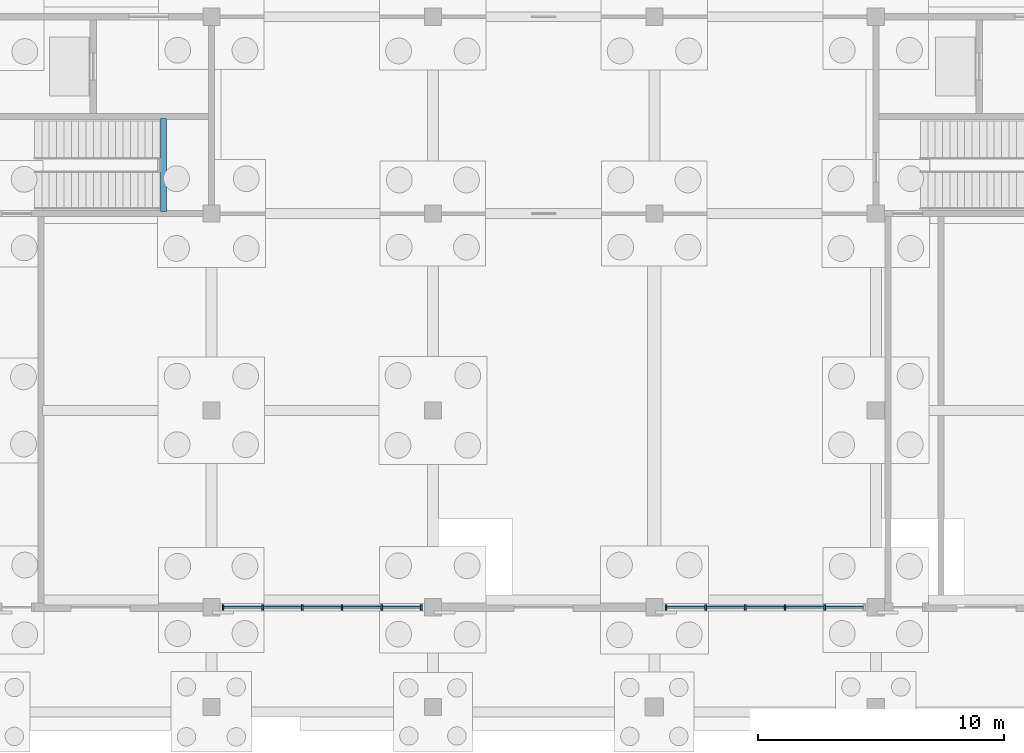
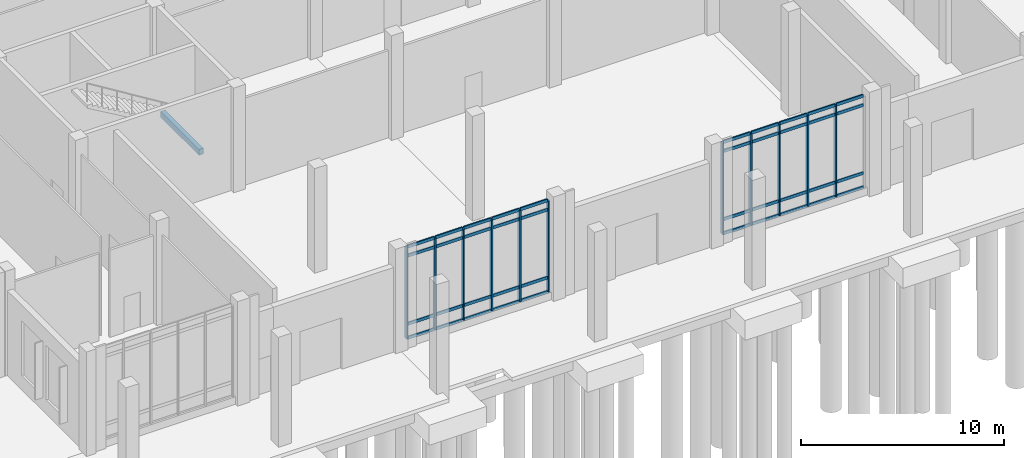
# One storey, part 43 of 99: 51 members, 1 beam, 2 elements without a shape of their own.
"""IFC4 building model written with IfcOpenShell, lengths in metres."""

from ifc_helpers import new_model, si_unit, direction, frame, origin, origin_2d, place, context, subcontext, project, spatial, rectangle, extrude, material, layer, layer_set, material_profile, profile_set, type_object, element, aggregate, save


model = new_model("IFC4")

# Units and contexts
model_context = context("Model", 3, precision=1e-05, world=origin(), true_north=direction((0.0, 1.0)))
body_context = subcontext(model_context, "Body", "Model", "MODEL_VIEW")
ifc_project = project(units=[si_unit("LENGTHUNIT", "METRE"), si_unit("AREAUNIT", "SQUARE_METRE"), si_unit("VOLUMEUNIT", "CUBIC_METRE"), si_unit("PLANEANGLEUNIT", "RADIAN"), si_unit("MASSUNIT", "GRAM", prefix="KILO")], contexts=[model_context])

# Site, building, storey
site_placement = place(None, origin())
site = spatial("IfcSite", under=ifc_project, at=site_placement, CompositionType="ELEMENT")
building_placement = place(site_placement, origin())
building = spatial("IfcBuilding", under=site, at=building_placement, Name="Zacnel Wholesale Market", CompositionType="ELEMENT")
storey_placement = place(building_placement, origin())
storey = spatial("IfcBuildingStorey", under=building, at=storey_placement, Name="L01", CompositionType="ELEMENT", Elevation=0.0)

# Beam
ifc_material_1 = material(Name="Precast concrete C45/55", Category="concrete")
ifc_material_profile_1 = material_profile(ifc_material_1, rectangle(XDim=0.25, YDim=0.35009765625, at=origin_2d()), Name="LN 250x350")
ifc_profile_set_1 = profile_set([ifc_material_profile_1], Name="Precast concrete C45/55")
beam_type = type_object("IfcBeamType", Name="BM-LN350", PredefinedType="LINTEL", material=ifc_profile_set_1)
beam_placement = place(storey_placement, frame((160.06005859375, 16.080078125, 2.77490234375), z_axis=(0.0, 1.0, 0.0), x_axis=(-1.0, 0.0, 0.0)))
element("IfcBeam", 1, at=beam_placement, inside=storey, type_object=beam_type, Name="Stair ST-01 half-landing bearing beam", PredefinedType="LINTEL", context=body_context, shape_type="SweptSolid", body=[
    extrude(rectangle(XDim=0.25, YDim=0.35009765625, at=origin_2d()), origin(), (0.0, 0.0, 1.0), 3.7900390625),
])

# Curtain wall, members
ifc_material_2 = material(Name="Anodised aluminium", Category="aluminium")
ifc_layer = layer(ifc_material_2, 0.179931640625)
ifc_layer_set = layer_set([ifc_layer], Name="Anodised aluminium")
curtain_wall_type = type_object("IfcCurtainWallType", Name="CW-BLVD-5400", PredefinedType="NOTDEFINED", material=ifc_layer_set)
curtain_wall_1_placement = place(storey_placement, origin())
curtain_wall_1 = element("IfcCurtainWall", 2, at=curtain_wall_1_placement, inside=storey, type_object=curtain_wall_type, Name="Curtain wall ENV-R2-CW-L01-006", PredefinedType="NOTDEFINED")
ifc_material_3 = material(Name="Anodised aluminium", Category="aluminium")
ifc_material_profile_2 = material_profile(ifc_material_3, rectangle(XDim=0.074951171875, YDim=0.219970703125, at=origin_2d()), Name="AW-MULLION 75x220")
ifc_profile_set_2 = profile_set([ifc_material_profile_2], Name="Anodised aluminium")
member_type_1 = type_object("IfcMemberType", Name="CWM-MUL-01", PredefinedType="MULLION", material=ifc_profile_set_2)
member_1_placement = place(storey_placement, frame((162.469970703125, 0.0, 0.449951171875), z_axis=(0.0, 0.0, 1.0), x_axis=(1.0, 0.0, 0.0)))
member_1 = element("IfcMember", 3, at=member_1_placement, type_object=member_type_1, Name="ENV-R2-CW-L01-006 mullion 01", PredefinedType="MULLION", context=body_context, shape_type="SweptSolid", body=[
    extrude(rectangle(XDim=0.074951171875, YDim=0.219970703125, at=origin_2d()), origin(), (0.0, 0.0, 1.0), 5.5),
])
member_2_placement = place(storey_placement, frame((164.08203125, 0.0, 0.449951171875), z_axis=(0.0, 0.0, 1.0), x_axis=(1.0, 0.0, 0.0)))
member_2 = element("IfcMember", 4, at=member_2_placement, type_object=member_type_1, Name="ENV-R2-CW-L01-006 mullion 02", PredefinedType="MULLION", context=body_context, shape_type="SweptSolid", body=[
    extrude(rectangle(XDim=0.074951171875, YDim=0.219970703125, at=origin_2d()), origin(), (0.0, 0.0, 1.0), 5.5),
])
member_3_placement = place(storey_placement, frame((165.694091796875, 0.0, 0.449951171875), z_axis=(0.0, 0.0, 1.0), x_axis=(1.0, 0.0, 0.0)))
member_3 = element("IfcMember", 5, at=member_3_placement, type_object=member_type_1, Name="ENV-R2-CW-L01-006 mullion 03", PredefinedType="MULLION", context=body_context, shape_type="SweptSolid", body=[
    extrude(rectangle(XDim=0.074951171875, YDim=0.219970703125, at=origin_2d()), origin(), (0.0, 0.0, 1.0), 5.5),
])
member_4_placement = place(storey_placement, frame((167.305908203125, 0.0, 0.449951171875), z_axis=(0.0, 0.0, 1.0), x_axis=(1.0, 0.0, 0.0)))
member_4 = element("IfcMember", 6, at=member_4_placement, type_object=member_type_1, Name="ENV-R2-CW-L01-006 mullion 04", PredefinedType="MULLION", context=body_context, shape_type="SweptSolid", body=[
    extrude(rectangle(XDim=0.074951171875, YDim=0.219970703125, at=origin_2d()), origin(), (0.0, 0.0, 1.0), 5.5),
])
member_5_placement = place(storey_placement, frame((168.91796875, 0.0, 0.449951171875), z_axis=(0.0, 0.0, 1.0), x_axis=(1.0, 0.0, 0.0)))
member_5 = element("IfcMember", 7, at=member_5_placement, type_object=member_type_1, Name="ENV-R2-CW-L01-006 mullion 05", PredefinedType="MULLION", context=body_context, shape_type="SweptSolid", body=[
    extrude(rectangle(XDim=0.074951171875, YDim=0.219970703125, at=origin_2d()), origin(), (0.0, 0.0, 1.0), 5.5),
])
member_6_placement = place(storey_placement, frame((170.530029296875, 0.0, 0.449951171875), z_axis=(0.0, 0.0, 1.0), x_axis=(1.0, 0.0, 0.0)))
member_6 = element("IfcMember", 8, at=member_6_placement, type_object=member_type_1, Name="ENV-R2-CW-L01-006 mullion 06", PredefinedType="MULLION", context=body_context, shape_type="SweptSolid", body=[
    extrude(rectangle(XDim=0.074951171875, YDim=0.219970703125, at=origin_2d()), origin(), (0.0, 0.0, 1.0), 5.5),
])

curtain_wall_2_placement = place(storey_placement, origin())
curtain_wall_2 = element("IfcCurtainWall", 9, at=curtain_wall_2_placement, inside=storey, type_object=curtain_wall_type, Name="Curtain wall ENV-R2-CW-L01-007", PredefinedType="NOTDEFINED")
member_7_placement = place(storey_placement, frame((180.469970703125, 0.0, 0.449951171875), z_axis=(0.0, 0.0, 1.0), x_axis=(1.0, 0.0, 0.0)))
member_7 = element("IfcMember", 10, at=member_7_placement, type_object=member_type_1, Name="ENV-R2-CW-L01-007 mullion 01", PredefinedType="MULLION", context=body_context, shape_type="SweptSolid", body=[
    extrude(rectangle(XDim=0.074951171875, YDim=0.219970703125, at=origin_2d()), origin(), (0.0, 0.0, 1.0), 5.5),
])
member_8_placement = place(storey_placement, frame((182.08203125, 0.0, 0.449951171875), z_axis=(0.0, 0.0, 1.0), x_axis=(1.0, 0.0, 0.0)))
member_8 = element("IfcMember", 11, at=member_8_placement, type_object=member_type_1, Name="ENV-R2-CW-L01-007 mullion 02", PredefinedType="MULLION", context=body_context, shape_type="SweptSolid", body=[
    extrude(rectangle(XDim=0.074951171875, YDim=0.219970703125, at=origin_2d()), origin(), (0.0, 0.0, 1.0), 5.5),
])
member_9_placement = place(storey_placement, frame((183.694091796875, 0.0, 0.449951171875), z_axis=(0.0, 0.0, 1.0), x_axis=(1.0, 0.0, 0.0)))
member_9 = element("IfcMember", 12, at=member_9_placement, type_object=member_type_1, Name="ENV-R2-CW-L01-007 mullion 03", PredefinedType="MULLION", context=body_context, shape_type="SweptSolid", body=[
    extrude(rectangle(XDim=0.074951171875, YDim=0.219970703125, at=origin_2d()), origin(), (0.0, 0.0, 1.0), 5.5),
])
member_10_placement = place(storey_placement, frame((185.305908203125, 0.0, 0.449951171875), z_axis=(0.0, 0.0, 1.0), x_axis=(1.0, 0.0, 0.0)))
member_10 = element("IfcMember", 13, at=member_10_placement, type_object=member_type_1, Name="ENV-R2-CW-L01-007 mullion 04", PredefinedType="MULLION", context=body_context, shape_type="SweptSolid", body=[
    extrude(rectangle(XDim=0.074951171875, YDim=0.219970703125, at=origin_2d()), origin(), (0.0, 0.0, 1.0), 5.5),
])
member_11_placement = place(storey_placement, frame((186.91796875, 0.0, 0.449951171875), z_axis=(0.0, 0.0, 1.0), x_axis=(1.0, 0.0, 0.0)))
member_11 = element("IfcMember", 14, at=member_11_placement, type_object=member_type_1, Name="ENV-R2-CW-L01-007 mullion 05", PredefinedType="MULLION", context=body_context, shape_type="SweptSolid", body=[
    extrude(rectangle(XDim=0.074951171875, YDim=0.219970703125, at=origin_2d()), origin(), (0.0, 0.0, 1.0), 5.5),
])

# Member
ifc_material_4 = material(Name="Anodised aluminium", Category="aluminium")
ifc_material_profile_3 = material_profile(ifc_material_4, rectangle(XDim=0.074951171875, YDim=0.179931640625, at=origin_2d()), Name="AW-TRANSOM 75x180")
ifc_profile_set_3 = profile_set([ifc_material_profile_3], Name="Anodised aluminium")
member_type_2 = type_object("IfcMemberType", Name="CWM-TRN-01", PredefinedType="USERDEFINED", material=ifc_profile_set_3)
member_12_placement = place(storey_placement, frame((162.5048828125, 0.0, 0.449951171875), z_axis=(1.0, 0.0, 0.0), x_axis=(0.0, 1.0, 0.0)))
member_12 = element("IfcMember", 15, at=member_12_placement, type_object=member_type_2, Name="ENV-R2-CW-L01-006 transom 1-1", ObjectType="TRANSOM", PredefinedType="USERDEFINED", context=body_context, shape_type="SweptSolid", body=[
    extrude(rectangle(XDim=0.074951171875, YDim=0.179931640625, at=origin_2d()), origin(), (0.0, 0.0, 1.0), 1.542236328125),
])

member_13_placement = place(storey_placement, frame((162.5048828125, 0.0, 1.300048828125), z_axis=(1.0, 0.0, 0.0), x_axis=(0.0, 1.0, 0.0)))
member_13 = element("IfcMember", 16, at=member_13_placement, type_object=member_type_2, Name="ENV-R2-CW-L01-006 transom 1-2", ObjectType="TRANSOM", PredefinedType="USERDEFINED", context=body_context, shape_type="SweptSolid", body=[
    extrude(rectangle(XDim=0.074951171875, YDim=0.179931640625, at=origin_2d()), origin(), (0.0, 0.0, 1.0), 1.542236328125),
])

member_14_placement = place(storey_placement, frame((162.5048828125, 0.0, 5.39990234375), z_axis=(1.0, 0.0, 0.0), x_axis=(0.0, 1.0, 0.0)))
member_14 = element("IfcMember", 17, at=member_14_placement, type_object=member_type_2, Name="ENV-R2-CW-L01-006 transom 1-3", ObjectType="TRANSOM", PredefinedType="USERDEFINED", context=body_context, shape_type="SweptSolid", body=[
    extrude(rectangle(XDim=0.074951171875, YDim=0.179931640625, at=origin_2d()), origin(), (0.0, 0.0, 1.0), 1.542236328125),
])

member_15_placement = place(storey_placement, frame((162.5048828125, 0.0, 5.949951171875), z_axis=(1.0, 0.0, 0.0), x_axis=(0.0, 1.0, 0.0)))
member_15 = element("IfcMember", 18, at=member_15_placement, type_object=member_type_2, Name="ENV-R2-CW-L01-006 transom 1-4", ObjectType="TRANSOM", PredefinedType="USERDEFINED", context=body_context, shape_type="SweptSolid", body=[
    extrude(rectangle(XDim=0.074951171875, YDim=0.179931640625, at=origin_2d()), origin(), (0.0, 0.0, 1.0), 1.542236328125),
])

member_16_placement = place(storey_placement, frame((164.116943359375, 0.0, 0.449951171875), z_axis=(1.0, 0.0, 0.0), x_axis=(0.0, 1.0, 0.0)))
member_16 = element("IfcMember", 19, at=member_16_placement, type_object=member_type_2, Name="ENV-R2-CW-L01-006 transom 2-1", ObjectType="TRANSOM", PredefinedType="USERDEFINED", context=body_context, shape_type="SweptSolid", body=[
    extrude(rectangle(XDim=0.074951171875, YDim=0.179931640625, at=origin_2d()), origin(), (0.0, 0.0, 1.0), 1.5419921875),
])

member_17_placement = place(storey_placement, frame((164.116943359375, 0.0, 1.300048828125), z_axis=(1.0, 0.0, 0.0), x_axis=(0.0, 1.0, 0.0)))
member_17 = element("IfcMember", 20, at=member_17_placement, type_object=member_type_2, Name="ENV-R2-CW-L01-006 transom 2-2", ObjectType="TRANSOM", PredefinedType="USERDEFINED", context=body_context, shape_type="SweptSolid", body=[
    extrude(rectangle(XDim=0.074951171875, YDim=0.179931640625, at=origin_2d()), origin(), (0.0, 0.0, 1.0), 1.5419921875),
])

member_18_placement = place(storey_placement, frame((164.116943359375, 0.0, 5.39990234375), z_axis=(1.0, 0.0, 0.0), x_axis=(0.0, 1.0, 0.0)))
member_18 = element("IfcMember", 21, at=member_18_placement, type_object=member_type_2, Name="ENV-R2-CW-L01-006 transom 2-3", ObjectType="TRANSOM", PredefinedType="USERDEFINED", context=body_context, shape_type="SweptSolid", body=[
    extrude(rectangle(XDim=0.074951171875, YDim=0.179931640625, at=origin_2d()), origin(), (0.0, 0.0, 1.0), 1.5419921875),
])

member_19_placement = place(storey_placement, frame((164.116943359375, 0.0, 5.949951171875), z_axis=(1.0, 0.0, 0.0), x_axis=(0.0, 1.0, 0.0)))
member_19 = element("IfcMember", 22, at=member_19_placement, type_object=member_type_2, Name="ENV-R2-CW-L01-006 transom 2-4", ObjectType="TRANSOM", PredefinedType="USERDEFINED", context=body_context, shape_type="SweptSolid", body=[
    extrude(rectangle(XDim=0.074951171875, YDim=0.179931640625, at=origin_2d()), origin(), (0.0, 0.0, 1.0), 1.5419921875),
])

member_20_placement = place(storey_placement, frame((165.72900390625, 0.0, 0.449951171875), z_axis=(1.0, 0.0, 0.0), x_axis=(0.0, 1.0, 0.0)))
member_20 = element("IfcMember", 23, at=member_20_placement, type_object=member_type_2, Name="ENV-R2-CW-L01-006 transom 3-1", ObjectType="TRANSOM", PredefinedType="USERDEFINED", context=body_context, shape_type="SweptSolid", body=[
    extrude(rectangle(XDim=0.074951171875, YDim=0.179931640625, at=origin_2d()), origin(), (0.0, 0.0, 1.0), 1.5419921875),
])

member_21_placement = place(storey_placement, frame((165.72900390625, 0.0, 1.300048828125), z_axis=(1.0, 0.0, 0.0), x_axis=(0.0, 1.0, 0.0)))
member_21 = element("IfcMember", 24, at=member_21_placement, type_object=member_type_2, Name="ENV-R2-CW-L01-006 transom 3-2", ObjectType="TRANSOM", PredefinedType="USERDEFINED", context=body_context, shape_type="SweptSolid", body=[
    extrude(rectangle(XDim=0.074951171875, YDim=0.179931640625, at=origin_2d()), origin(), (0.0, 0.0, 1.0), 1.5419921875),
])

member_22_placement = place(storey_placement, frame((165.72900390625, 0.0, 5.39990234375), z_axis=(1.0, 0.0, 0.0), x_axis=(0.0, 1.0, 0.0)))
member_22 = element("IfcMember", 25, at=member_22_placement, type_object=member_type_2, Name="ENV-R2-CW-L01-006 transom 3-3", ObjectType="TRANSOM", PredefinedType="USERDEFINED", context=body_context, shape_type="SweptSolid", body=[
    extrude(rectangle(XDim=0.074951171875, YDim=0.179931640625, at=origin_2d()), origin(), (0.0, 0.0, 1.0), 1.5419921875),
])

member_23_placement = place(storey_placement, frame((165.72900390625, 0.0, 5.949951171875), z_axis=(1.0, 0.0, 0.0), x_axis=(0.0, 1.0, 0.0)))
member_23 = element("IfcMember", 26, at=member_23_placement, type_object=member_type_2, Name="ENV-R2-CW-L01-006 transom 3-4", ObjectType="TRANSOM", PredefinedType="USERDEFINED", context=body_context, shape_type="SweptSolid", body=[
    extrude(rectangle(XDim=0.074951171875, YDim=0.179931640625, at=origin_2d()), origin(), (0.0, 0.0, 1.0), 1.5419921875),
])

member_24_placement = place(storey_placement, frame((167.341064453125, 0.0, 0.449951171875), z_axis=(1.0, 0.0, 0.0), x_axis=(0.0, 1.0, 0.0)))
member_24 = element("IfcMember", 27, at=member_24_placement, type_object=member_type_2, Name="ENV-R2-CW-L01-006 transom 4-1", ObjectType="TRANSOM", PredefinedType="USERDEFINED", context=body_context, shape_type="SweptSolid", body=[
    extrude(rectangle(XDim=0.074951171875, YDim=0.179931640625, at=origin_2d()), origin(), (0.0, 0.0, 1.0), 1.5419921875),
])

member_25_placement = place(storey_placement, frame((167.341064453125, 0.0, 1.300048828125), z_axis=(1.0, 0.0, 0.0), x_axis=(0.0, 1.0, 0.0)))
member_25 = element("IfcMember", 28, at=member_25_placement, type_object=member_type_2, Name="ENV-R2-CW-L01-006 transom 4-2", ObjectType="TRANSOM", PredefinedType="USERDEFINED", context=body_context, shape_type="SweptSolid", body=[
    extrude(rectangle(XDim=0.074951171875, YDim=0.179931640625, at=origin_2d()), origin(), (0.0, 0.0, 1.0), 1.5419921875),
])

member_26_placement = place(storey_placement, frame((167.341064453125, 0.0, 5.39990234375), z_axis=(1.0, 0.0, 0.0), x_axis=(0.0, 1.0, 0.0)))
member_26 = element("IfcMember", 29, at=member_26_placement, type_object=member_type_2, Name="ENV-R2-CW-L01-006 transom 4-3", ObjectType="TRANSOM", PredefinedType="USERDEFINED", context=body_context, shape_type="SweptSolid", body=[
    extrude(rectangle(XDim=0.074951171875, YDim=0.179931640625, at=origin_2d()), origin(), (0.0, 0.0, 1.0), 1.5419921875),
])

member_27_placement = place(storey_placement, frame((167.341064453125, 0.0, 5.949951171875), z_axis=(1.0, 0.0, 0.0), x_axis=(0.0, 1.0, 0.0)))
member_27 = element("IfcMember", 30, at=member_27_placement, type_object=member_type_2, Name="ENV-R2-CW-L01-006 transom 4-4", ObjectType="TRANSOM", PredefinedType="USERDEFINED", context=body_context, shape_type="SweptSolid", body=[
    extrude(rectangle(XDim=0.074951171875, YDim=0.179931640625, at=origin_2d()), origin(), (0.0, 0.0, 1.0), 1.5419921875),
])

member_28_placement = place(storey_placement, frame((168.952880859375, 0.0, 0.449951171875), z_axis=(1.0, 0.0, 0.0), x_axis=(0.0, 1.0, 0.0)))
member_28 = element("IfcMember", 31, at=member_28_placement, type_object=member_type_2, Name="ENV-R2-CW-L01-006 transom 5-1", ObjectType="TRANSOM", PredefinedType="USERDEFINED", context=body_context, shape_type="SweptSolid", body=[
    extrude(rectangle(XDim=0.074951171875, YDim=0.179931640625, at=origin_2d()), origin(), (0.0, 0.0, 1.0), 1.542236328125),
])

member_29_placement = place(storey_placement, frame((168.952880859375, 0.0, 1.300048828125), z_axis=(1.0, 0.0, 0.0), x_axis=(0.0, 1.0, 0.0)))
member_29 = element("IfcMember", 32, at=member_29_placement, type_object=member_type_2, Name="ENV-R2-CW-L01-006 transom 5-2", ObjectType="TRANSOM", PredefinedType="USERDEFINED", context=body_context, shape_type="SweptSolid", body=[
    extrude(rectangle(XDim=0.074951171875, YDim=0.179931640625, at=origin_2d()), origin(), (0.0, 0.0, 1.0), 1.542236328125),
])

member_30_placement = place(storey_placement, frame((168.952880859375, 0.0, 5.39990234375), z_axis=(1.0, 0.0, 0.0), x_axis=(0.0, 1.0, 0.0)))
member_30 = element("IfcMember", 33, at=member_30_placement, type_object=member_type_2, Name="ENV-R2-CW-L01-006 transom 5-3", ObjectType="TRANSOM", PredefinedType="USERDEFINED", context=body_context, shape_type="SweptSolid", body=[
    extrude(rectangle(XDim=0.074951171875, YDim=0.179931640625, at=origin_2d()), origin(), (0.0, 0.0, 1.0), 1.542236328125),
])

member_31_placement = place(storey_placement, frame((168.952880859375, 0.0, 5.949951171875), z_axis=(1.0, 0.0, 0.0), x_axis=(0.0, 1.0, 0.0)))
member_31 = element("IfcMember", 34, at=member_31_placement, type_object=member_type_2, Name="ENV-R2-CW-L01-006 transom 5-4", ObjectType="TRANSOM", PredefinedType="USERDEFINED", context=body_context, shape_type="SweptSolid", body=[
    extrude(rectangle(XDim=0.074951171875, YDim=0.179931640625, at=origin_2d()), origin(), (0.0, 0.0, 1.0), 1.542236328125),
])

aggregate(curtain_wall_1, [member_1, member_2, member_3, member_4, member_5, member_6, member_12, member_13, member_14, member_15, member_16, member_17, member_18, member_19, member_20, member_21, member_22, member_23, member_24, member_25, member_26, member_27, member_28, member_29, member_30, member_31])

member_32_placement = place(storey_placement, frame((180.5048828125, 0.0, 0.449951171875), z_axis=(1.0, 0.0, 0.0), x_axis=(0.0, 1.0, 0.0)))
member_32 = element("IfcMember", 35, at=member_32_placement, type_object=member_type_2, Name="ENV-R2-CW-L01-007 transom 1-1", ObjectType="TRANSOM", PredefinedType="USERDEFINED", context=body_context, shape_type="SweptSolid", body=[
    extrude(rectangle(XDim=0.074951171875, YDim=0.179931640625, at=origin_2d()), origin(), (0.0, 0.0, 1.0), 1.542236328125),
])

member_33_placement = place(storey_placement, frame((180.5048828125, 0.0, 1.300048828125), z_axis=(1.0, 0.0, 0.0), x_axis=(0.0, 1.0, 0.0)))
member_33 = element("IfcMember", 36, at=member_33_placement, type_object=member_type_2, Name="ENV-R2-CW-L01-007 transom 1-2", ObjectType="TRANSOM", PredefinedType="USERDEFINED", context=body_context, shape_type="SweptSolid", body=[
    extrude(rectangle(XDim=0.074951171875, YDim=0.179931640625, at=origin_2d()), origin(), (0.0, 0.0, 1.0), 1.542236328125),
])

member_34_placement = place(storey_placement, frame((180.5048828125, 0.0, 5.39990234375), z_axis=(1.0, 0.0, 0.0), x_axis=(0.0, 1.0, 0.0)))
member_34 = element("IfcMember", 37, at=member_34_placement, type_object=member_type_2, Name="ENV-R2-CW-L01-007 transom 1-3", ObjectType="TRANSOM", PredefinedType="USERDEFINED", context=body_context, shape_type="SweptSolid", body=[
    extrude(rectangle(XDim=0.074951171875, YDim=0.179931640625, at=origin_2d()), origin(), (0.0, 0.0, 1.0), 1.542236328125),
])

member_35_placement = place(storey_placement, frame((180.5048828125, 0.0, 5.949951171875), z_axis=(1.0, 0.0, 0.0), x_axis=(0.0, 1.0, 0.0)))
member_35 = element("IfcMember", 38, at=member_35_placement, type_object=member_type_2, Name="ENV-R2-CW-L01-007 transom 1-4", ObjectType="TRANSOM", PredefinedType="USERDEFINED", context=body_context, shape_type="SweptSolid", body=[
    extrude(rectangle(XDim=0.074951171875, YDim=0.179931640625, at=origin_2d()), origin(), (0.0, 0.0, 1.0), 1.542236328125),
])

member_36_placement = place(storey_placement, frame((182.116943359375, 0.0, 0.449951171875), z_axis=(1.0, 0.0, 0.0), x_axis=(0.0, 1.0, 0.0)))
member_36 = element("IfcMember", 39, at=member_36_placement, type_object=member_type_2, Name="ENV-R2-CW-L01-007 transom 2-1", ObjectType="TRANSOM", PredefinedType="USERDEFINED", context=body_context, shape_type="SweptSolid", body=[
    extrude(rectangle(XDim=0.074951171875, YDim=0.179931640625, at=origin_2d()), origin(), (0.0, 0.0, 1.0), 1.5419921875),
])

member_37_placement = place(storey_placement, frame((182.116943359375, 0.0, 1.300048828125), z_axis=(1.0, 0.0, 0.0), x_axis=(0.0, 1.0, 0.0)))
member_37 = element("IfcMember", 40, at=member_37_placement, type_object=member_type_2, Name="ENV-R2-CW-L01-007 transom 2-2", ObjectType="TRANSOM", PredefinedType="USERDEFINED", context=body_context, shape_type="SweptSolid", body=[
    extrude(rectangle(XDim=0.074951171875, YDim=0.179931640625, at=origin_2d()), origin(), (0.0, 0.0, 1.0), 1.5419921875),
])

member_38_placement = place(storey_placement, frame((182.116943359375, 0.0, 5.39990234375), z_axis=(1.0, 0.0, 0.0), x_axis=(0.0, 1.0, 0.0)))
member_38 = element("IfcMember", 41, at=member_38_placement, type_object=member_type_2, Name="ENV-R2-CW-L01-007 transom 2-3", ObjectType="TRANSOM", PredefinedType="USERDEFINED", context=body_context, shape_type="SweptSolid", body=[
    extrude(rectangle(XDim=0.074951171875, YDim=0.179931640625, at=origin_2d()), origin(), (0.0, 0.0, 1.0), 1.5419921875),
])

member_39_placement = place(storey_placement, frame((182.116943359375, 0.0, 5.949951171875), z_axis=(1.0, 0.0, 0.0), x_axis=(0.0, 1.0, 0.0)))
member_39 = element("IfcMember", 42, at=member_39_placement, type_object=member_type_2, Name="ENV-R2-CW-L01-007 transom 2-4", ObjectType="TRANSOM", PredefinedType="USERDEFINED", context=body_context, shape_type="SweptSolid", body=[
    extrude(rectangle(XDim=0.074951171875, YDim=0.179931640625, at=origin_2d()), origin(), (0.0, 0.0, 1.0), 1.5419921875),
])

member_40_placement = place(storey_placement, frame((183.72900390625, 0.0, 0.449951171875), z_axis=(1.0, 0.0, 0.0), x_axis=(0.0, 1.0, 0.0)))
member_40 = element("IfcMember", 43, at=member_40_placement, type_object=member_type_2, Name="ENV-R2-CW-L01-007 transom 3-1", ObjectType="TRANSOM", PredefinedType="USERDEFINED", context=body_context, shape_type="SweptSolid", body=[
    extrude(rectangle(XDim=0.074951171875, YDim=0.179931640625, at=origin_2d()), origin(), (0.0, 0.0, 1.0), 1.5419921875),
])

member_41_placement = place(storey_placement, frame((183.72900390625, 0.0, 1.300048828125), z_axis=(1.0, 0.0, 0.0), x_axis=(0.0, 1.0, 0.0)))
member_41 = element("IfcMember", 44, at=member_41_placement, type_object=member_type_2, Name="ENV-R2-CW-L01-007 transom 3-2", ObjectType="TRANSOM", PredefinedType="USERDEFINED", context=body_context, shape_type="SweptSolid", body=[
    extrude(rectangle(XDim=0.074951171875, YDim=0.179931640625, at=origin_2d()), origin(), (0.0, 0.0, 1.0), 1.5419921875),
])

member_42_placement = place(storey_placement, frame((183.72900390625, 0.0, 5.39990234375), z_axis=(1.0, 0.0, 0.0), x_axis=(0.0, 1.0, 0.0)))
member_42 = element("IfcMember", 45, at=member_42_placement, type_object=member_type_2, Name="ENV-R2-CW-L01-007 transom 3-3", ObjectType="TRANSOM", PredefinedType="USERDEFINED", context=body_context, shape_type="SweptSolid", body=[
    extrude(rectangle(XDim=0.074951171875, YDim=0.179931640625, at=origin_2d()), origin(), (0.0, 0.0, 1.0), 1.5419921875),
])

member_43_placement = place(storey_placement, frame((183.72900390625, 0.0, 5.949951171875), z_axis=(1.0, 0.0, 0.0), x_axis=(0.0, 1.0, 0.0)))
member_43 = element("IfcMember", 46, at=member_43_placement, type_object=member_type_2, Name="ENV-R2-CW-L01-007 transom 3-4", ObjectType="TRANSOM", PredefinedType="USERDEFINED", context=body_context, shape_type="SweptSolid", body=[
    extrude(rectangle(XDim=0.074951171875, YDim=0.179931640625, at=origin_2d()), origin(), (0.0, 0.0, 1.0), 1.5419921875),
])

member_44_placement = place(storey_placement, frame((185.341064453125, 0.0, 0.449951171875), z_axis=(1.0, 0.0, 0.0), x_axis=(0.0, 1.0, 0.0)))
member_44 = element("IfcMember", 47, at=member_44_placement, type_object=member_type_2, Name="ENV-R2-CW-L01-007 transom 4-1", ObjectType="TRANSOM", PredefinedType="USERDEFINED", context=body_context, shape_type="SweptSolid", body=[
    extrude(rectangle(XDim=0.074951171875, YDim=0.179931640625, at=origin_2d()), origin(), (0.0, 0.0, 1.0), 1.5419921875),
])

member_45_placement = place(storey_placement, frame((185.341064453125, 0.0, 1.300048828125), z_axis=(1.0, 0.0, 0.0), x_axis=(0.0, 1.0, 0.0)))
member_45 = element("IfcMember", 48, at=member_45_placement, type_object=member_type_2, Name="ENV-R2-CW-L01-007 transom 4-2", ObjectType="TRANSOM", PredefinedType="USERDEFINED", context=body_context, shape_type="SweptSolid", body=[
    extrude(rectangle(XDim=0.074951171875, YDim=0.179931640625, at=origin_2d()), origin(), (0.0, 0.0, 1.0), 1.5419921875),
])

member_46_placement = place(storey_placement, frame((185.341064453125, 0.0, 5.39990234375), z_axis=(1.0, 0.0, 0.0), x_axis=(0.0, 1.0, 0.0)))
member_46 = element("IfcMember", 49, at=member_46_placement, type_object=member_type_2, Name="ENV-R2-CW-L01-007 transom 4-3", ObjectType="TRANSOM", PredefinedType="USERDEFINED", context=body_context, shape_type="SweptSolid", body=[
    extrude(rectangle(XDim=0.074951171875, YDim=0.179931640625, at=origin_2d()), origin(), (0.0, 0.0, 1.0), 1.5419921875),
])

member_47_placement = place(storey_placement, frame((185.341064453125, 0.0, 5.949951171875), z_axis=(1.0, 0.0, 0.0), x_axis=(0.0, 1.0, 0.0)))
member_47 = element("IfcMember", 50, at=member_47_placement, type_object=member_type_2, Name="ENV-R2-CW-L01-007 transom 4-4", ObjectType="TRANSOM", PredefinedType="USERDEFINED", context=body_context, shape_type="SweptSolid", body=[
    extrude(rectangle(XDim=0.074951171875, YDim=0.179931640625, at=origin_2d()), origin(), (0.0, 0.0, 1.0), 1.5419921875),
])

member_48_placement = place(storey_placement, frame((186.952880859375, 0.0, 0.449951171875), z_axis=(1.0, 0.0, 0.0), x_axis=(0.0, 1.0, 0.0)))
member_48 = element("IfcMember", 51, at=member_48_placement, type_object=member_type_2, Name="ENV-R2-CW-L01-007 transom 5-1", ObjectType="TRANSOM", PredefinedType="USERDEFINED", context=body_context, shape_type="SweptSolid", body=[
    extrude(rectangle(XDim=0.074951171875, YDim=0.179931640625, at=origin_2d()), origin(), (0.0, 0.0, 1.0), 1.542236328125),
])

member_49_placement = place(storey_placement, frame((186.952880859375, 0.0, 1.300048828125), z_axis=(1.0, 0.0, 0.0), x_axis=(0.0, 1.0, 0.0)))
member_49 = element("IfcMember", 52, at=member_49_placement, type_object=member_type_2, Name="ENV-R2-CW-L01-007 transom 5-2", ObjectType="TRANSOM", PredefinedType="USERDEFINED", context=body_context, shape_type="SweptSolid", body=[
    extrude(rectangle(XDim=0.074951171875, YDim=0.179931640625, at=origin_2d()), origin(), (0.0, 0.0, 1.0), 1.542236328125),
])

member_50_placement = place(storey_placement, frame((186.952880859375, 0.0, 5.39990234375), z_axis=(1.0, 0.0, 0.0), x_axis=(0.0, 1.0, 0.0)))
member_50 = element("IfcMember", 53, at=member_50_placement, type_object=member_type_2, Name="ENV-R2-CW-L01-007 transom 5-3", ObjectType="TRANSOM", PredefinedType="USERDEFINED", context=body_context, shape_type="SweptSolid", body=[
    extrude(rectangle(XDim=0.074951171875, YDim=0.179931640625, at=origin_2d()), origin(), (0.0, 0.0, 1.0), 1.542236328125),
])

member_51_placement = place(storey_placement, frame((186.952880859375, 0.0, 5.949951171875), z_axis=(1.0, 0.0, 0.0), x_axis=(0.0, 1.0, 0.0)))
member_51 = element("IfcMember", 54, at=member_51_placement, type_object=member_type_2, Name="ENV-R2-CW-L01-007 transom 5-4", ObjectType="TRANSOM", PredefinedType="USERDEFINED", context=body_context, shape_type="SweptSolid", body=[
    extrude(rectangle(XDim=0.074951171875, YDim=0.179931640625, at=origin_2d()), origin(), (0.0, 0.0, 1.0), 1.542236328125),
])

aggregate(curtain_wall_2, [member_7, member_8, member_9, member_10, member_11, member_32, member_33, member_34, member_35, member_36, member_37, member_38, member_39, member_40, member_41, member_42, member_43, member_44, member_45, member_46, member_47, member_48, member_49, member_50, member_51])

save(model, "model.ifc")
